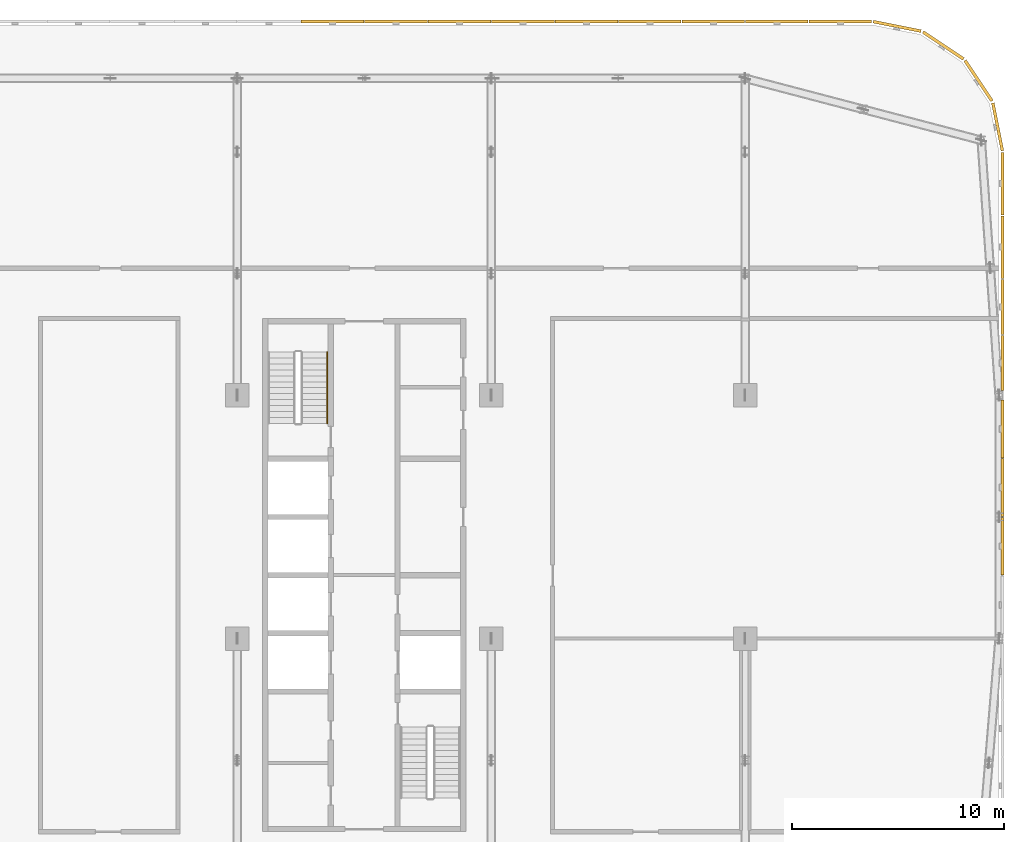
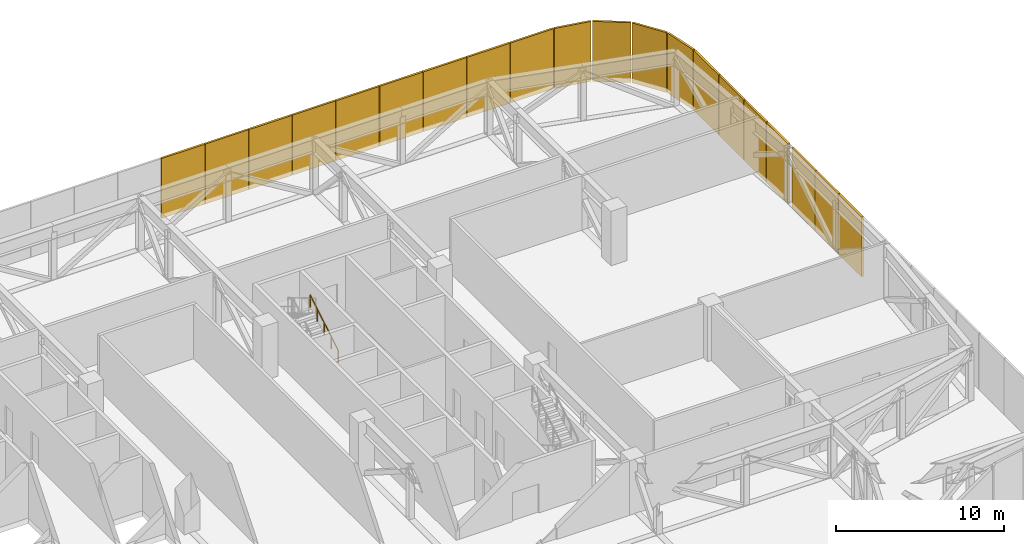
# One storey, part 28 of 28: 20 coverings, 1 railing.
"""IFC4 building model written with IfcOpenShell, lengths in metres."""

from ifc_helpers import new_model, si_unit, direction, frame, origin, origin_2d, place, context, subcontext, project, spatial, rectangle, circle, extrude, material, type_object, element, save


model = new_model("IFC4")

# Units and contexts
model_context = context("Model", 3, precision=1e-05, world=origin(), true_north=direction((0.0, 1.0)))
body_context = subcontext(model_context, "Body", "Model", "MODEL_VIEW")
ifc_project = project(units=[si_unit("LENGTHUNIT", "METRE"), si_unit("AREAUNIT", "SQUARE_METRE"), si_unit("VOLUMEUNIT", "CUBIC_METRE"), si_unit("PLANEANGLEUNIT", "RADIAN"), si_unit("MASSUNIT", "GRAM", prefix="KILO")], contexts=[model_context])

# Site, building, storey
site_placement = place(None, origin())
site = spatial("IfcSite", under=ifc_project, at=site_placement, CompositionType="ELEMENT")
building_placement = place(site_placement, origin())
building = spatial("IfcBuilding", under=site, at=building_placement, Name="Mahtab Terrace Research Tower", CompositionType="ELEMENT")
storey_placement = place(building_placement, frame((0.0, 0.0, 224.300048828125)))
storey = spatial("IfcBuildingStorey", under=building, at=storey_placement, Name="L54", CompositionType="ELEMENT", Elevation=224.300048828125)

# Coverings
ifc_material_1 = material(Name="Natural anodised aluminium", Category="aluminium")
covering_type = type_object("IfcCoveringType", Name="Plant storey louvre bay", PredefinedType="CLADDING", material=ifc_material_1)
for number, where, z_axis, x_axis, name in (
    (1, (54.159912109375, 18.5, -0.39990234375), (0.0, 0.0, 1.0), (0.0, 1.0, 0.0), "Louvre bay L54 1"),
    (2, (54.159912109375, 21.5, -0.39990234375), (0.0, 0.0, 1.0), (0.0, 1.0, 0.0), "Louvre bay L54 2"),
):
    element("IfcCovering", number, at=place(storey_placement, frame(where, z_axis=z_axis, x_axis=x_axis)), inside=storey, type_object=covering_type, Name=name, PredefinedType="CLADDING", context=body_context, shape_type="SweptSolid", body=[
        extrude(rectangle(XDim=2.9599609375, YDim=0.139892578125, at=origin_2d()), origin(), (0.0, 0.0, 1.0), 4.360107421875),
    ])
for number, where, z_axis, x_axis, name in (
    (3, (53.928466796875, 24.17919921875, -0.39990234375), (0.0, 0.0, 1.0), (-0.195212442692, 0.980760981187, 0.0), "Louvre bay L54 3"),
    (4, (53.026123046875, 26.3583984375, -0.39990234375), (0.0, 0.0, 1.0), (-0.555291490808, 0.831655794326, 0.0), "Louvre bay L54 4"),
    (5, (51.3583984375, 28.026123046875, -0.39990234375), (0.0, 0.0, 1.0), (-0.831655794326, 0.555291490808, 0.0), "Louvre bay L54 5"),
    (6, (49.17919921875, 28.928466796875, -0.39990234375), (0.0, 0.0, 1.0), (-0.980760981187, 0.195212442692, 0.0), "Louvre bay L54 6"),
):
    element("IfcCovering", number, at=place(storey_placement, frame(where, z_axis=z_axis, x_axis=x_axis)), inside=storey, type_object=covering_type, Name=name, PredefinedType="CLADDING", context=body_context, shape_type="SweptSolid", body=[
        extrude(rectangle(XDim=2.301025390625, YDim=0.139892578125, at=origin_2d()), origin(), (0.0, 0.0, 1.0), 4.360107421875),
    ])
for number, where, z_axis, x_axis, name in (
    (7, (46.5, 29.159912109375, -0.39990234375), (0.0, 0.0, 1.0), (-1.0, 0.0, 0.0), "Louvre bay L54 7"),
    (8, (43.5, 29.159912109375, -0.39990234375), (0.0, 0.0, 1.0), (-1.0, 0.0, 0.0), "Louvre bay L54 8"),
    (9, (40.5, 29.159912109375, -0.39990234375), (0.0, 0.0, 1.0), (-1.0, 0.0, 0.0), "Louvre bay L54 9"),
    (10, (37.5, 29.159912109375, -0.39990234375), (0.0, 0.0, 1.0), (-1.0, 0.0, 0.0), "Louvre bay L54 10"),
    (11, (34.5, 29.159912109375, -0.39990234375), (0.0, 0.0, 1.0), (-1.0, 0.0, 0.0), "Louvre bay L54 11"),
    (12, (31.5, 29.159912109375, -0.39990234375), (0.0, 0.0, 1.0), (-1.0, 0.0, 0.0), "Louvre bay L54 12"),
    (13, (28.5, 29.159912109375, -0.39990234375), (0.0, 0.0, 1.0), (-1.0, 0.0, 0.0), "Louvre bay L54 13"),
    (14, (25.5, 29.159912109375, -0.39990234375), (0.0, 0.0, 1.0), (-1.0, 0.0, 0.0), "Louvre bay L54 14"),
    (15, (22.5, 29.159912109375, -0.39990234375), (0.0, 0.0, 1.0), (-1.0, 0.0, 0.0), "Louvre bay L54 15"),
):
    element("IfcCovering", number, at=place(storey_placement, frame(where, z_axis=z_axis, x_axis=x_axis)), inside=storey, type_object=covering_type, Name=name, PredefinedType="CLADDING", context=body_context, shape_type="SweptSolid", body=[
        extrude(rectangle(XDim=2.9599609375, YDim=0.139892578125, at=origin_2d()), origin(), (0.0, 0.0, 1.0), 4.360107421875),
    ])
for number, where, z_axis, x_axis, name in (
    (16, (54.159912109375, 4.362548828125, -0.39990234375), (0.0, 0.0, 1.0), (0.0, 1.0, 0.0), "Louvre bay L54 94"),
    (17, (54.159912109375, 7.137451171875, -0.39990234375), (0.0, 0.0, 1.0), (0.0, 1.0, 0.0), "Louvre bay L54 95"),
    (18, (54.159912109375, 9.91259765625, -0.39990234375), (0.0, 0.0, 1.0), (0.0, 1.0, 0.0), "Louvre bay L54 96"),
):
    element("IfcCovering", number, at=place(storey_placement, frame(where, z_axis=z_axis, x_axis=x_axis)), inside=storey, type_object=covering_type, Name=name, PredefinedType="CLADDING", context=body_context, shape_type="SweptSolid", body=[
        extrude(rectangle(XDim=2.735107421875, YDim=0.139892578125, at=origin_2d()), origin(), (0.0, 0.0, 1.0), 4.360107421875),
    ])
for number, where, z_axis, x_axis, name in (
    (19, (54.159912109375, 13.02490234375, -0.39990234375), (0.0, 0.0, 1.0), (0.0, 1.0, 0.0), "Louvre bay L54 97"),
    (20, (54.159912109375, 15.675048828125, -0.39990234375), (0.0, 0.0, 1.0), (0.0, 1.0, 0.0), "Louvre bay L54 98"),
):
    element("IfcCovering", number, at=place(storey_placement, frame(where, z_axis=z_axis, x_axis=x_axis)), inside=storey, type_object=covering_type, Name=name, PredefinedType="CLADDING", context=body_context, shape_type="SweptSolid", body=[
        extrude(rectangle(XDim=2.610107421875, YDim=0.139892578125, at=origin_2d()), origin(), (0.0, 0.0, 1.0), 4.360107421875),
    ])

# Railing
ifc_material_2 = material(Name="Stainless steel AISI 304", Category="steel")
railing_type = type_object("IfcRailingType", Name="Stair handrail 900", PredefinedType="HANDRAIL", material=ifc_material_2)
railing_placement = place(storey_placement, frame((22.25, 10.175048828125, 0.165283203125)))
element("IfcRailing", 21, at=railing_placement, inside=storey, type_object=railing_type, Name="L54 ST3 stair handrail 1", PredefinedType="HANDRAIL", context=body_context, shape_type="SweptSolid", body=[
    extrude(circle(Radius=0.02392578125, at=origin_2d()), frame((0.0, 0.0, 0.8759765625), z_axis=(0.0, 0.861011212953, 0.508585972249), x_axis=(-1.0, 0.0, 0.0)), (0.0, 0.0, 1.0), 3.90234375),
    extrude(circle(Radius=0.02099609375, at=origin_2d()), origin(), (0.0, 0.0, 1.0), 0.851806640625),
    extrude(circle(Radius=0.02099609375, at=origin_2d()), frame((0.0, 0.83984375, 0.49609375)), (0.0, 0.0, 1.0), 0.851806640625),
    extrude(circle(Radius=0.02099609375, at=origin_2d()), frame((0.0, 1.679931640625, 0.9921875)), (0.0, 0.0, 1.0), 0.851806640625),
    extrude(circle(Radius=0.02099609375, at=origin_2d()), frame((0.0, 2.52001953125, 1.488525390625)), (0.0, 0.0, 1.0), 0.851806640625),
    extrude(circle(Radius=0.02099609375, at=origin_2d()), frame((0.0, 3.35986328125, 1.984619140625)), (0.0, 0.0, 1.0), 0.851806640625),
])

save(model, "model.ifc")
